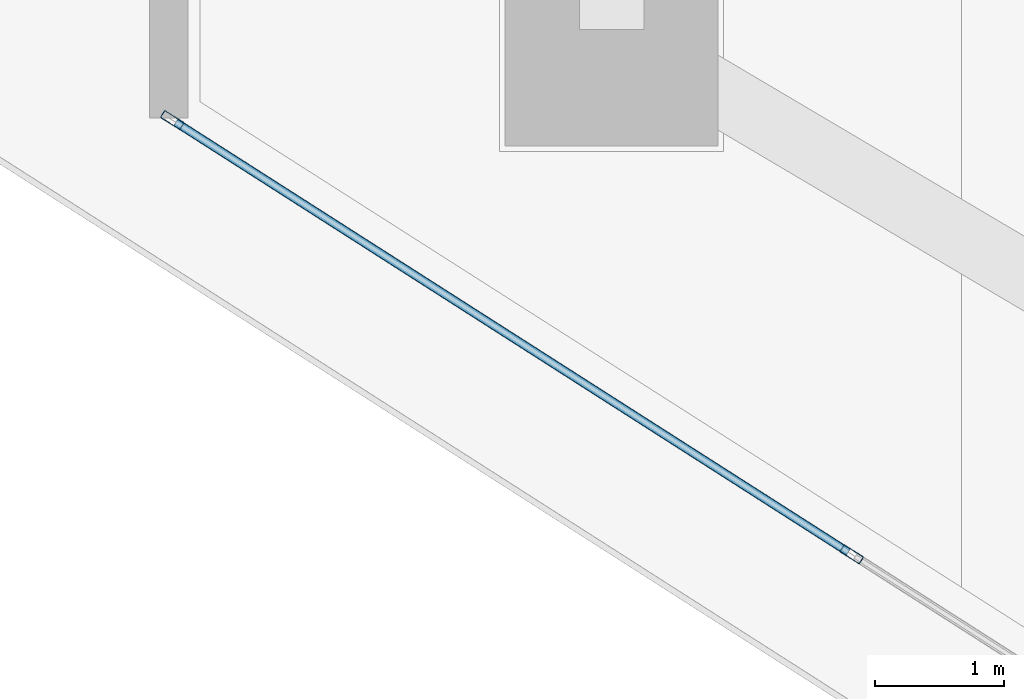
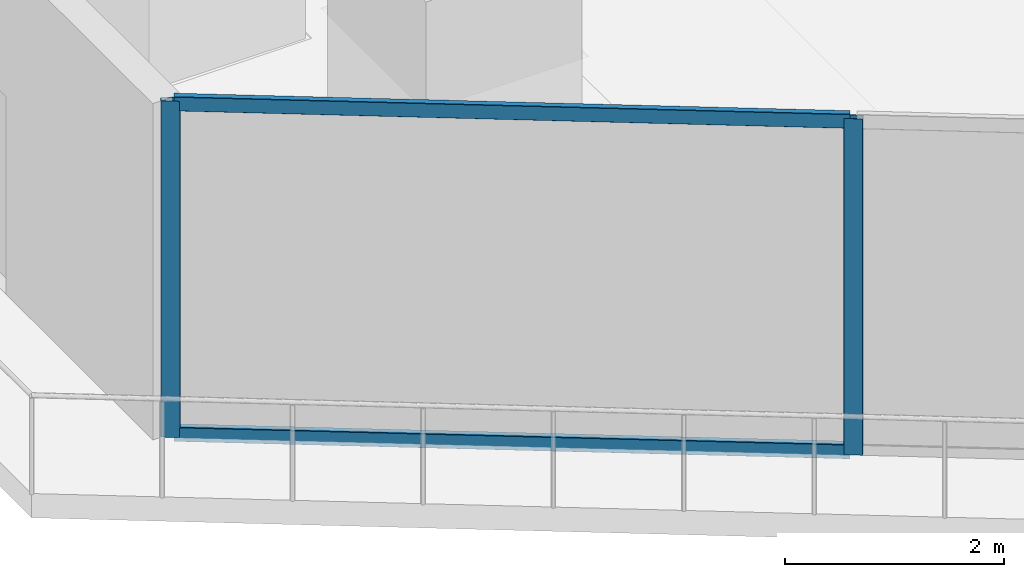
# One storey, part 6 of 34: 4 members, 1 element without a shape of its own.
"""IFC4 building model written with IfcOpenShell, lengths in metres."""

from ifc_helpers import new_model, si_unit, direction, frame, origin, origin_2d, place, context, subcontext, project, spatial, hollow_rectangle, extrude, material, layer, layer_set, material_profile, profile_set, type_object, element, aggregate, save


model = new_model("IFC4")

# Units and contexts
model_context = context("Model", 3, precision=1e-05, world=origin(), true_north=direction((0.0, 1.0)))
body_context = subcontext(model_context, "Body", "Model", "MODEL_VIEW")
ifc_project = project(units=[si_unit("LENGTHUNIT", "METRE"), si_unit("AREAUNIT", "SQUARE_METRE"), si_unit("VOLUMEUNIT", "CUBIC_METRE"), si_unit("PLANEANGLEUNIT", "RADIAN"), si_unit("MASSUNIT", "GRAM", prefix="KILO")], contexts=[model_context])

# Site, building, storey
site_placement = place(None, origin())
site = spatial("IfcSite", under=ifc_project, at=site_placement, CompositionType="ELEMENT")
building_placement = place(site_placement, origin())
building = spatial("IfcBuilding", under=site, at=building_placement, Name="Qorvath Tower", CompositionType="ELEMENT")
storey_placement = place(building_placement, frame((0.0, 0.0, 245.550048828125)))
storey = spatial("IfcBuildingStorey", under=building, at=storey_placement, Name="L57", CompositionType="ELEMENT", Elevation=245.550048828125)

# Curtain wall, members
ifc_material_1 = material(Name="Anodised aluminium and triple low-E glass", Category="aluminium")
ifc_layer = layer(ifc_material_1, 0.179931640625)
ifc_layer_set = layer_set([ifc_layer], Name="CW-SYS-3")
curtain_wall_type = type_object("IfcCurtainWallType", Name="CW-SYS-3", PredefinedType="NOTDEFINED", material=ifc_layer_set)
curtain_wall_placement = place(storey_placement, origin())
curtain_wall = element("IfcCurtainWall", 1, at=curtain_wall_placement, inside=storey, type_object=curtain_wall_type, Name="Curtain Wall CW-3 CW-T-L57-2.1", PredefinedType="NOTDEFINED")
ifc_material_2 = material(Name="Anodised aluminium 6063-T6", Category="aluminium")
ifc_material_profile_1 = material_profile(ifc_material_2, hollow_rectangle(XDim=0.06494140625, YDim=0.179931640625, WallThickness=0.00341796875, InnerFilletRadius=0.00341796875, OuterFilletRadius=0.007080078125, at=origin_2d()), Name="CWM 180x65")
ifc_profile_set_1 = profile_set([ifc_material_profile_1], Name="Anodised aluminium 6063-T6")
member_type_1 = type_object("IfcMemberType", Name="CWM-180", PredefinedType="MULLION", material=ifc_profile_set_1)
member_1_placement = place(storey_placement, frame((-52.57373046875, -3.227783203125, 0.0), z_axis=(0.0, 0.0, 1.0), x_axis=(0.538531424585, 0.842605426481, 0.0)))
member_1 = element("IfcMember", 2, at=member_1_placement, type_object=member_type_1, Name="CW-3 mullion 1", PredefinedType="MULLION", context=body_context, shape_type="SweptSolid", body=[
    extrude(hollow_rectangle(XDim=0.06494140625, YDim=0.179931640625, WallThickness=0.00341796875, InnerFilletRadius=0.00341796875, OuterFilletRadius=0.007080078125, at=origin_2d()), origin(), (0.0, 0.0, 1.0), 3.75),
])
member_2_placement = place(storey_placement, frame((-47.312255859375, -6.590576171875, 0.0), z_axis=(0.0, 0.0, 1.0), x_axis=(0.538531424585, 0.842605426481, 0.0)))
member_2 = element("IfcMember", 3, at=member_2_placement, type_object=member_type_1, Name="CW-3 mullion 2", PredefinedType="MULLION", context=body_context, shape_type="SweptSolid", body=[
    extrude(hollow_rectangle(XDim=0.06494140625, YDim=0.179931640625, WallThickness=0.00341796875, InnerFilletRadius=0.00341796875, OuterFilletRadius=0.007080078125, at=origin_2d()), origin(), (0.0, 0.0, 1.0), 3.75),
])
ifc_material_3 = material(Name="Anodised aluminium 6063-T6", Category="aluminium")
ifc_material_profile_2 = material_profile(ifc_material_3, hollow_rectangle(XDim=0.06494140625, YDim=0.159912109375, WallThickness=0.00341796875, InnerFilletRadius=0.00341796875, OuterFilletRadius=0.007080078125, at=origin_2d()), Name="CWT 160x65")
ifc_profile_set_2 = profile_set([ifc_material_profile_2], Name="Anodised aluminium 6063-T6")
member_type_2 = type_object("IfcMemberType", Name="CWT-160", PredefinedType="USERDEFINED", material=ifc_profile_set_2)
member_3_placement = place(storey_placement, frame((-52.54638671875, -3.245361328125, 0.032470703125), z_axis=(0.842599152459, -0.538541241017, 0.0), x_axis=(0.538541241017, 0.842599152459, 0.0)))
member_3 = element("IfcMember", 4, at=member_3_placement, type_object=member_type_2, Name="CW-3 transom 1.1", ObjectType="TRANSOM", PredefinedType="USERDEFINED", context=body_context, shape_type="SweptSolid", body=[
    extrude(hollow_rectangle(XDim=0.06494140625, YDim=0.159912109375, WallThickness=0.00341796875, InnerFilletRadius=0.00341796875, OuterFilletRadius=0.007080078125, at=origin_2d()), origin(), (0.0, 0.0, 1.0), 6.179443359375),
])
member_4_placement = place(storey_placement, frame((-52.54638671875, -3.245361328125, 3.717529296875), z_axis=(0.842599152459, -0.538541241017, 0.0), x_axis=(0.538541241017, 0.842599152459, 0.0)))
member_4 = element("IfcMember", 5, at=member_4_placement, type_object=member_type_2, Name="CW-3 transom 1.2", ObjectType="TRANSOM", PredefinedType="USERDEFINED", context=body_context, shape_type="SweptSolid", body=[
    extrude(hollow_rectangle(XDim=0.06494140625, YDim=0.159912109375, WallThickness=0.00341796875, InnerFilletRadius=0.00341796875, OuterFilletRadius=0.007080078125, at=origin_2d()), origin(), (0.0, 0.0, 1.0), 6.179443359375),
])
aggregate(curtain_wall, [member_1, member_2, member_3, member_4])

save(model, "model.ifc")
